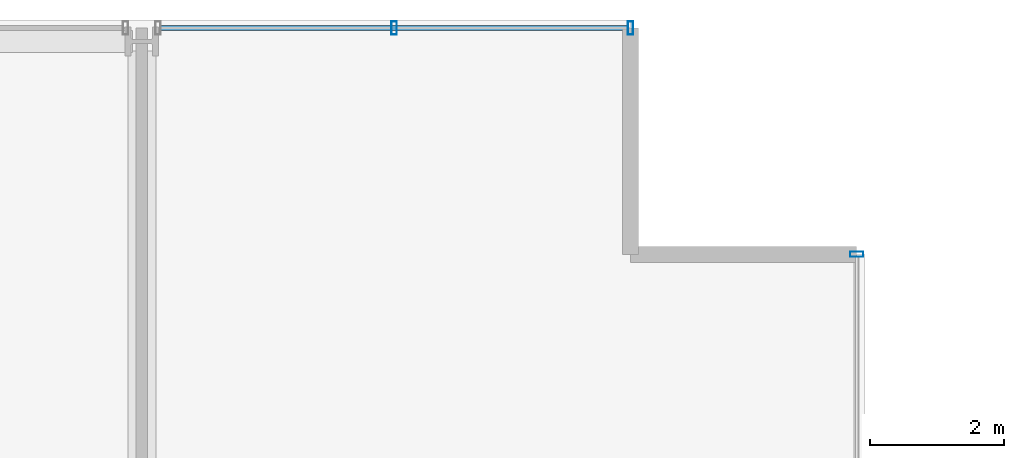
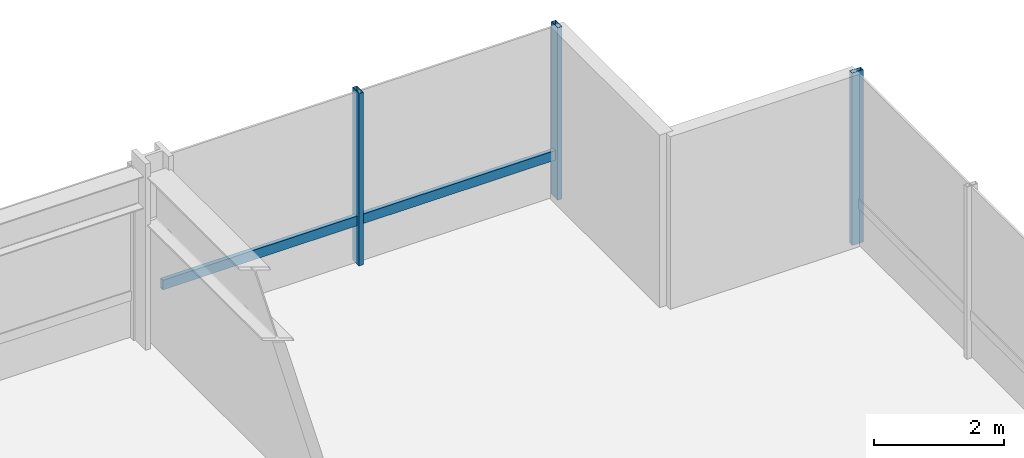
# One storey, part 28 of 38: 4 members, 2 elements without a shape of their own.
"""IFC4 building model written with IfcOpenShell, lengths in metres."""

from ifc_helpers import new_model, si_unit, direction, frame, origin, origin_2d, place, context, subcontext, project, spatial, hollow_rectangle, extrude, material, layer, layer_set, material_profile, profile_set, type_object, element, aggregate, save


model = new_model("IFC4")

# Units and contexts
model_context = context("Model", 3, precision=1e-05, world=origin(), true_north=direction((0.0, 1.0)))
body_context = subcontext(model_context, "Body", "Model", "MODEL_VIEW")
ifc_project = project(units=[si_unit("LENGTHUNIT", "METRE"), si_unit("AREAUNIT", "SQUARE_METRE"), si_unit("VOLUMEUNIT", "CUBIC_METRE"), si_unit("PLANEANGLEUNIT", "RADIAN"), si_unit("MASSUNIT", "GRAM", prefix="KILO")], contexts=[model_context])

# Site, building, storey
site_placement = place(None, origin())
site = spatial("IfcSite", under=ifc_project, at=site_placement, CompositionType="ELEMENT")
building_placement = place(site_placement, origin())
building = spatial("IfcBuilding", under=site, at=building_placement, Name="Drelvath Grand Hotel", CompositionType="ELEMENT")
storey_placement = place(building_placement, frame((0.0, 0.0, 50.699951171875)))
storey = spatial("IfcBuildingStorey", under=building, at=storey_placement, Name="L11", CompositionType="ELEMENT", Elevation=50.699951171875)

# Curtain wall, member
ifc_material = material(Name="Warm Bronze Anodised Aluminium Frame", Category="aluminium")
ifc_layer = layer(ifc_material, 0.199951171875)
ifc_layer_set = layer_set([ifc_layer], Name="Warm Bronze Anodised Aluminium Frame")
curtain_wall_type = type_object("IfcCurtainWallType", Name="Stick Curtain Wall CW-02 Warm Bronze Low-Rise", PredefinedType="NOTDEFINED", material=ifc_layer_set)
curtain_wall_1_placement = place(storey_placement, origin())
curtain_wall_1 = element("IfcCurtainWall", 1, at=curtain_wall_1_placement, inside=storey, type_object=curtain_wall_type, Name="L11 CW-02 Curtain Wall CW02-L11-NE3", PredefinedType="NOTDEFINED")
ifc_material_profile_1 = material_profile(ifc_material, hollow_rectangle(XDim=0.074951171875, YDim=0.179931640625, WallThickness=0.0048828125, at=origin_2d()), Name="HSS180X75X5")
ifc_profile_set_1 = profile_set([ifc_material_profile_1], Name="Warm Bronze Anodised Aluminium Frame")
member_type_1 = type_object("IfcMemberType", Name="Curtain Wall Horizontal Transom CW-02 HSS180X75X5", PredefinedType="USERDEFINED", material=ifc_profile_set_1)
member_1_placement = place(storey_placement, frame((16.48095703125, 53.8798828125, 0.81005859375), z_axis=(1.0, 0.0, 0.0), x_axis=(0.0, 1.0, 0.0)))
member_1 = element("IfcMember", 2, at=member_1_placement, type_object=member_type_1, Name="CW02-L11-NE3 Sill Transom", ObjectType="TRANSOM", PredefinedType="USERDEFINED", context=body_context, shape_type="SweptSolid", body=[
    extrude(hollow_rectangle(XDim=0.074951171875, YDim=0.179931640625, WallThickness=0.0048828125, at=origin_2d()), origin(), (0.0, 0.0, 1.0), 6.97900390625),
])

curtain_wall_2_placement = place(storey_placement, origin())
curtain_wall_2 = element("IfcCurtainWall", 3, at=curtain_wall_2_placement, inside=storey, type_object=curtain_wall_type, Name="L11 CW-02 Curtain Wall CW02-L11-EN3", PredefinedType="NOTDEFINED")
ifc_material_profile_2 = material_profile(ifc_material, hollow_rectangle(XDim=0.080078125, YDim=0.199951171875, WallThickness=0.0048828125, at=origin_2d()), Name="HSS200X80X5")
ifc_profile_set_2 = profile_set([ifc_material_profile_2], Name="Warm Bronze Anodised Aluminium Frame")
member_type_2 = type_object("IfcMemberType", Name="Curtain Wall Vertical Mullion CW-02 HSS200X80X5", PredefinedType="MULLION", material=ifc_profile_set_2)
member_2_placement = place(storey_placement, frame((26.8798828125, 50.5, 0.0), z_axis=(0.0, 0.0, 1.0), x_axis=(0.0, 1.0, 0.0)))
member_2 = element("IfcMember", 4, at=member_2_placement, type_object=member_type_2, Name="CW02-L11-EN3 Mullion 1", PredefinedType="MULLION", context=body_context, shape_type="SweptSolid", body=[
    extrude(hollow_rectangle(XDim=0.080078125, YDim=0.199951171875, WallThickness=0.0048828125, at=origin_2d()), origin(), (0.0, 0.0, 1.0), 3.239990234375),
])
aggregate(curtain_wall_2, [member_2])

# Member
member_3_placement = place(storey_placement, frame((19.970458984375, 53.8798828125, 0.0), z_axis=(0.0, 0.0, 1.0), x_axis=(1.0, 0.0, 0.0)))
member_3 = element("IfcMember", 5, at=member_3_placement, type_object=member_type_2, Name="CW02-L11-NE3 Mullion 2", PredefinedType="MULLION", context=body_context, shape_type="SweptSolid", body=[
    extrude(hollow_rectangle(XDim=0.080078125, YDim=0.199951171875, WallThickness=0.0048828125, at=origin_2d()), origin(), (0.0, 0.0, 1.0), 3.239990234375),
])

member_4_placement = place(storey_placement, frame((23.5, 53.8798828125, 0.0), z_axis=(0.0, 0.0, 1.0), x_axis=(1.0, 0.0, 0.0)))
member_4 = element("IfcMember", 6, at=member_4_placement, type_object=member_type_2, Name="CW02-L11-NE3 Mullion 3", PredefinedType="MULLION", context=body_context, shape_type="SweptSolid", body=[
    extrude(hollow_rectangle(XDim=0.080078125, YDim=0.199951171875, WallThickness=0.0048828125, at=origin_2d()), origin(), (0.0, 0.0, 1.0), 3.239990234375),
])

aggregate(curtain_wall_1, [member_3, member_4, member_1])

save(model, "model.ifc")
